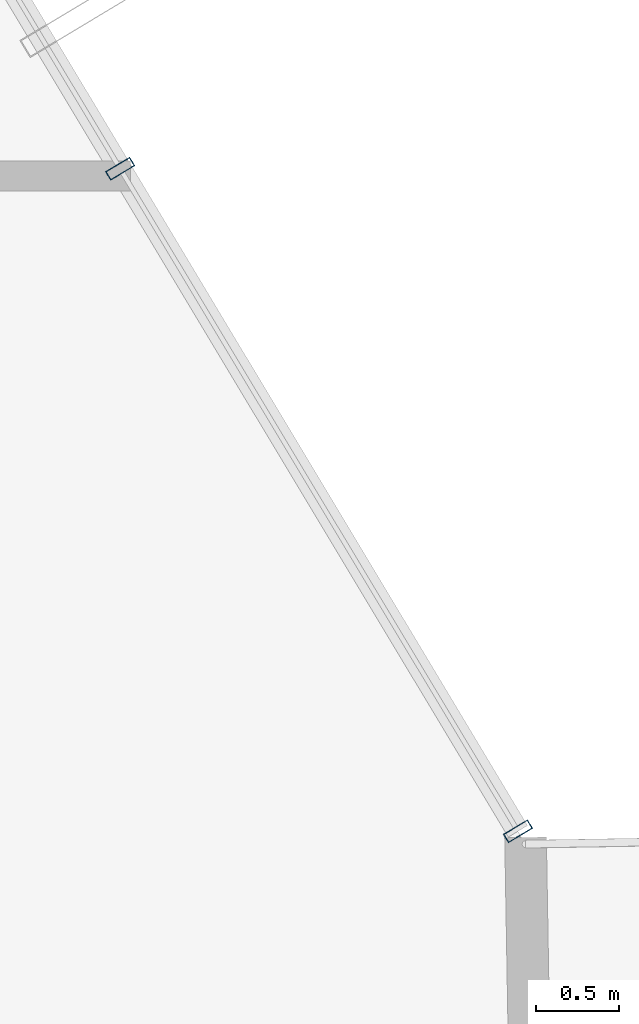
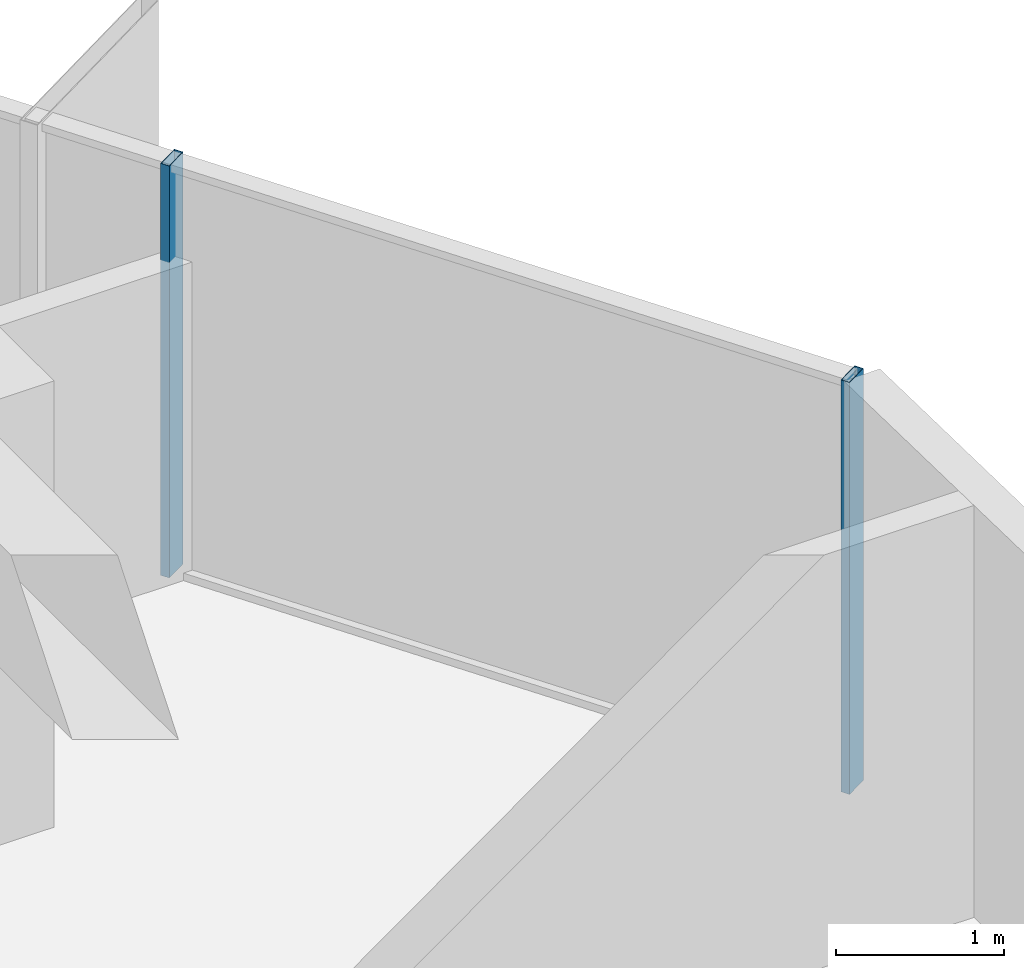
# One storey, part 22 of 39: 2 members, 1 element without a shape of its own.
"""IFC4 building model written with IfcOpenShell, lengths in metres."""

from ifc_helpers import new_model, si_unit, direction, frame, origin, origin_2d, place, context, subcontext, project, spatial, hollow_rectangle, extrude, source, transform, mapped, material, layer, layer_set, material_profile, profile_set, type_object, element, aggregate, save


model = new_model("IFC4")

# Units and contexts
model_context = context("Model", 3, precision=1e-05, world=origin(), true_north=direction((0.0, 1.0)))
body_context = subcontext(model_context, "Body", "Model", "MODEL_VIEW")
ifc_project = project(units=[si_unit("LENGTHUNIT", "METRE"), si_unit("AREAUNIT", "SQUARE_METRE"), si_unit("VOLUMEUNIT", "CUBIC_METRE"), si_unit("PLANEANGLEUNIT", "RADIAN"), si_unit("MASSUNIT", "GRAM", prefix="KILO")], contexts=[model_context])

# Site, building, storey
site_placement = place(None, origin())
site = spatial("IfcSite", under=ifc_project, at=site_placement, CompositionType="ELEMENT")
building_placement = place(site_placement, origin())
building = spatial("IfcBuilding", under=site, at=building_placement, Name="Veraguas Prism Commons", CompositionType="ELEMENT")
storey_placement = place(building_placement, frame((0.0, 0.0, 27.300048828125)))
storey = spatial("IfcBuildingStorey", under=building, at=storey_placement, Name="L06", CompositionType="ELEMENT", Elevation=27.300048828125)

# Curtain wall, members
ifc_material = material(Name="Anodised aluminium EN AW-6063 T6", Category="aluminium")
ifc_layer = layer(ifc_material, 0.169921875, Name="Unitised Flush Curtain Wall Zone 1", Category="aluminium")
ifc_layer_set = layer_set([ifc_layer], Name="Anodised aluminium EN AW-6063 T6")
curtain_wall_type = type_object("IfcCurtainWallType", Name="Unitised Flush Curtain Wall Zone 1", PredefinedType="NOTDEFINED", material=ifc_layer_set)
curtain_wall_placement = place(storey_placement, origin())
curtain_wall = element("IfcCurtainWall", 1, at=curtain_wall_placement, inside=storey, type_object=curtain_wall_type, Name="Tower Facade Curtain Wall L06-F1", PredefinedType="NOTDEFINED")
ifc_material_profile = material_profile(ifc_material, hollow_rectangle(XDim=0.06005859375, YDim=0.169921875, WallThickness=0.00390625, at=origin_2d()), Name="AL60X170X4")
ifc_profile_set = profile_set([ifc_material_profile], Name="Anodised aluminium EN AW-6063 T6")
member_type = type_object("IfcMemberType", Name="Curtain Wall Mullion Lower AL 60x170x4", PredefinedType="MULLION", material=ifc_profile_set)
shared_shape = source(origin(), body_context, "Body", "SweptSolid", [
    extrude(hollow_rectangle(XDim=0.06005859375, YDim=0.169921875, WallThickness=0.00390625, at=origin_2d()), origin(), (0.0, 0.0, 1.0), 3.0),
])
member_1_placement = place(storey_placement, frame((46.61279296875, 26.715087890625, 0.0), z_axis=(0.0, 0.0, 1.0), x_axis=(-0.51473434664, 0.857349725835, 0.0)))
member_1 = element("IfcMember", 2, at=member_1_placement, type_object=member_type, Name="CW-Z1 Mullion 1", PredefinedType="MULLION", context=body_context, shape_type="MappedRepresentation", body=[
    mapped(shared_shape, transform((0.0, 0.0, 0.0), scale=1.0)),
])
member_2_placement = place(storey_placement, frame((44.223876953125, 30.694091796875, 0.0), z_axis=(0.0, 0.0, 1.0), x_axis=(-0.51473434664, 0.857349725835, 0.0)))
member_2 = element("IfcMember", 3, at=member_2_placement, type_object=member_type, Name="CW-Z1 Mullion 2", PredefinedType="MULLION", context=body_context, shape_type="MappedRepresentation", body=[
    mapped(shared_shape, transform((0.0, 0.0, 0.0), scale=1.0)),
])
aggregate(curtain_wall, [member_1, member_2])

save(model, "model.ifc")
